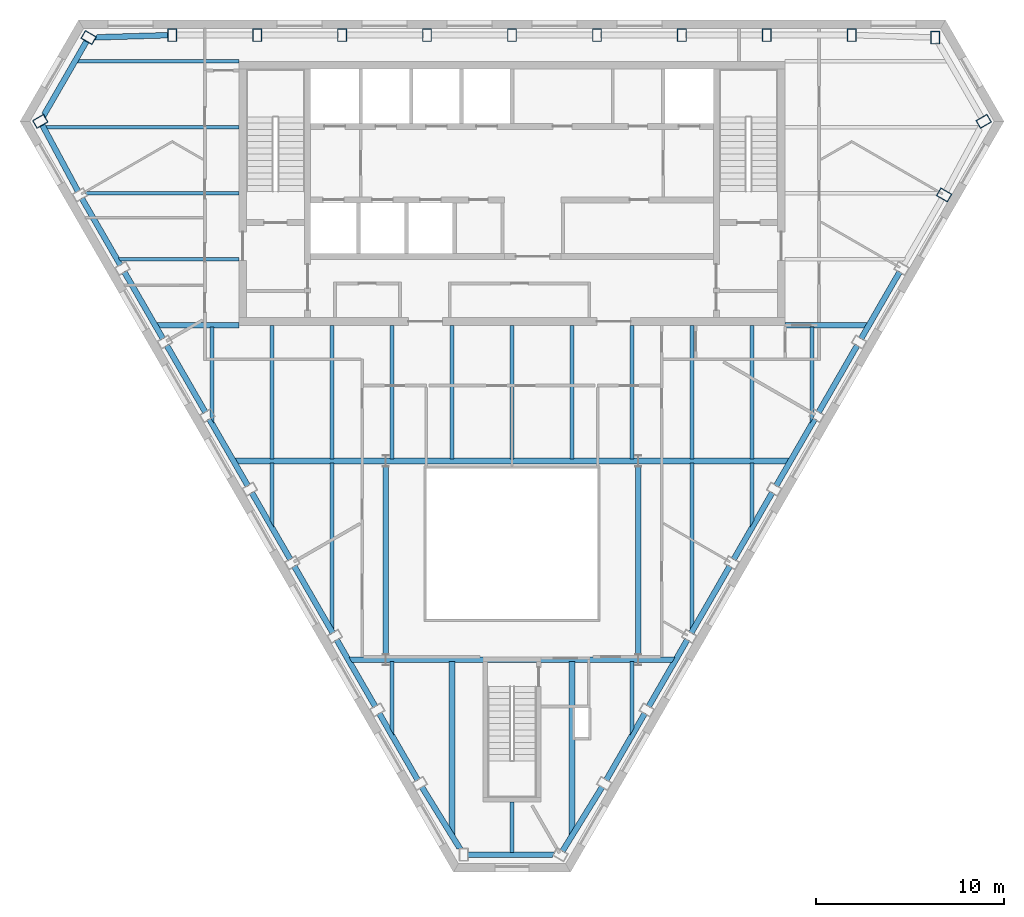
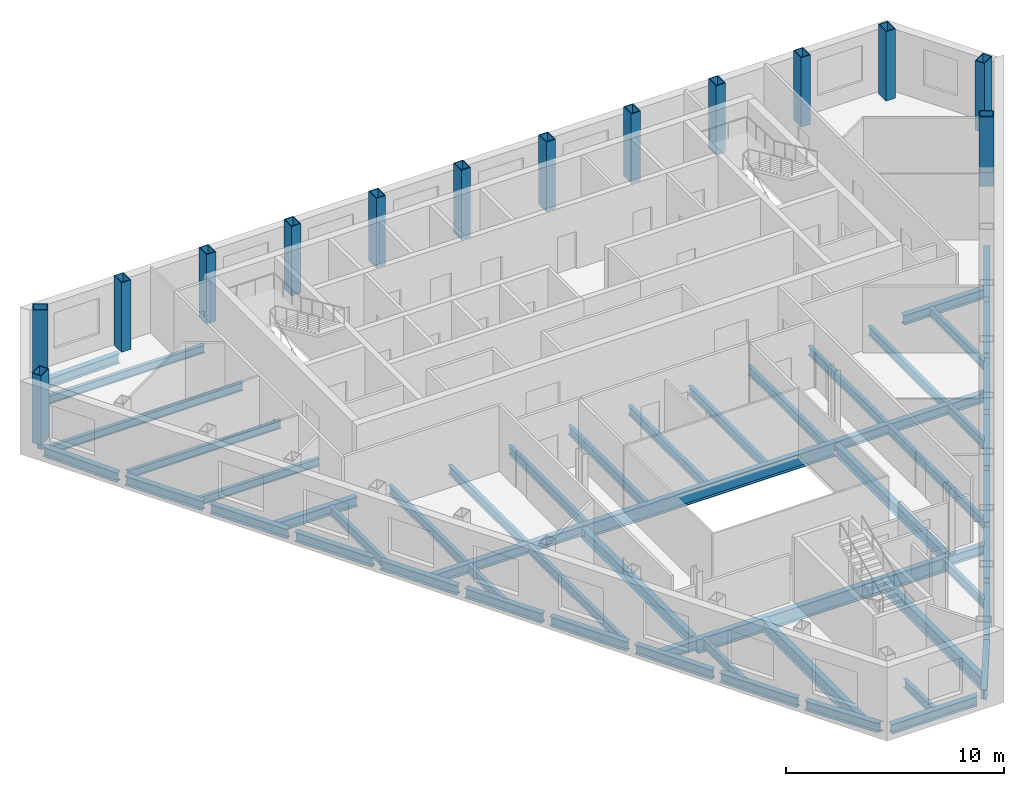
# One storey, part 2 of 10: 55 beams, 14 columns.
"""IFC4 building model written with IfcOpenShell, lengths in metres."""

from ifc_helpers import new_model, si_unit, direction, frame, origin, origin_2d, place, context, subcontext, project, spatial, hollow_rectangle, i_section, extrude, clip, halfspace, material, material_profile, profile_set, type_object, element, save


model = new_model("IFC4")

# Units and contexts
model_context = context("Model", 3, precision=1e-05, world=origin(), true_north=direction((0.0, 1.0)))
body_context = subcontext(model_context, "Body", "Model", "MODEL_VIEW")
ifc_project = project(units=[si_unit("LENGTHUNIT", "METRE"), si_unit("AREAUNIT", "SQUARE_METRE"), si_unit("VOLUMEUNIT", "CUBIC_METRE"), si_unit("PLANEANGLEUNIT", "RADIAN"), si_unit("MASSUNIT", "GRAM", prefix="KILO")], contexts=[model_context])

# Site, building, storey
site_placement = place(None, origin())
site = spatial("IfcSite", under=ifc_project, at=site_placement, CompositionType="ELEMENT")
building_placement = place(site_placement, origin())
building = spatial("IfcBuilding", under=site, at=building_placement, Name="Njiva Tower", CompositionType="ELEMENT")
storey_placement = place(building_placement, frame((0.0, 0.0, 253.2)))
storey = spatial("IfcBuildingStorey", under=building, at=storey_placement, Name="L57", CompositionType="ELEMENT", Elevation=253.2)

# Columns
ifc_material = material(Name="Steel S355 J2", Category="steel")
ifc_material_profile_1 = material_profile(ifc_material, hollow_rectangle(XDim=0.5, YDim=0.7, WallThickness=0.045, at=origin_2d()), Name="BOX 700x500x45")
ifc_profile_set_1 = profile_set([ifc_material_profile_1], Name="Steel S355 J2")
column_type = type_object("IfcColumnType", Name="C13 Perimeter tube column BOX 700x500x45", PredefinedType="COLUMN", material=ifc_profile_set_1)
for number, where, z_axis, x_axis, name in (
    (1, (22.466, 19.267, 0.0), (0.0, 0.0, 1.0), (-1.0, 0.0, 0.0), "Perimeter tube column S18-C01"),
    (2, (18.034, 19.4, 0.0), (0.0, 0.0, 1.0), (-1.0, 0.0, 0.0), "Perimeter tube column S18-C02"),
    (3, (13.526, 19.4, 0.0), (0.0, 0.0, 1.0), (-1.0, 0.0, 0.0), "Perimeter tube column S18-C03"),
    (4, (9.017, 19.4, 0.0), (0.0, 0.0, 1.0), (-1.0, 0.0, 0.0), "Perimeter tube column S18-C04"),
    (5, (4.509, 19.4, 0.0), (0.0, 0.0, 1.0), (-1.0, 0.0, 0.0), "Perimeter tube column S18-C05"),
    (6, (0.0, 19.4, 0.0), (0.0, 0.0, 1.0), (-1.0, 0.0, 0.0), "Perimeter tube column S18-C06"),
    (7, (-4.509, 19.4, 0.0), (0.0, 0.0, 1.0), (-1.0, 0.0, 0.0), "Perimeter tube column S18-C07"),
    (8, (-9.017, 19.4, 0.0), (0.0, 0.0, 1.0), (-1.0, 0.0, 0.0), "Perimeter tube column S18-C08"),
    (9, (-13.526, 19.4, 0.0), (0.0, 0.0, 1.0), (-1.0, 0.0, 0.0), "Perimeter tube column S18-C09"),
    (10, (-18.034, 19.4, 0.0), (0.0, 0.0, 1.0), (-1.0, 0.0, 0.0), "Perimeter tube column S18-C10"),
    (11, (-22.466, 19.267, 0.0), (0.0, 0.0, 1.0), (-0.5, -0.866025403784, 0.0), "Perimeter tube column S18-C11"),
    (12, (-25.033, 14.822, 0.0), (0.0, 0.0, 1.0), (0.5, -0.866025403784, 0.0), "Perimeter tube column S18-C12"),
    (13, (22.932, 10.917, 0.0), (0.0, 0.0, 1.0), (0.5, 0.866025403784, 0.0), "Perimeter tube column S18-C32"),
    (14, (25.033, 14.822, 0.0), (0.0, 0.0, 1.0), (-0.5, 0.866025403784, 0.0), "Perimeter tube column S18-C33"),
):
    element("IfcColumn", number, at=place(storey_placement, frame(where, z_axis=z_axis, x_axis=x_axis)), inside=storey, type_object=column_type, Name=name, PredefinedType="COLUMN", context=body_context, shape_type="SweptSolid", body=[
        extrude(hollow_rectangle(XDim=0.5, YDim=0.7, WallThickness=0.045, at=origin_2d()), origin(), (0.0, 0.0, 1.0), 3.9),
    ])

# Beams
ifc_material_profile_2 = material_profile(ifc_material, i_section(OverallWidth=0.3, OverallDepth=0.69, WebThickness=0.0145, FlangeThickness=0.027, at=origin_2d()), Name="HEA 700")
ifc_profile_set_2 = profile_set([ifc_material_profile_2], Name="Steel S355 J2")
beam_type_1 = type_object("IfcBeamType", Name="B26 Floor joist HEA 700", PredefinedType="JOIST", material=ifc_profile_set_2)
beam_1_placement = place(storey_placement, frame((-3.183, -13.85, -0.545), z_axis=(0.0, -1.0, 0.0), x_axis=(1.0, 0.0, 0.0)))
element("IfcBeam", 15, at=beam_1_placement, inside=storey, type_object=beam_type_1, Name="Floor joist S18-B061", PredefinedType="JOIST", context=body_context, shape_type="Clipping", body=[
    clip(extrude(i_section(OverallWidth=0.3, OverallDepth=0.69, WebThickness=0.0145, FlangeThickness=0.027, at=origin_2d()), origin(), (0.0, 0.0, 1.0), 9.234), halfspace(frame((-0.0429, 0.0, 8.9834), z_axis=(-0.850624900762, 0.0, 0.525773029171), x_axis=(0.0, 1.0, 0.0)), False)),
])
beam_2_placement = place(storey_placement, frame((3.183, -13.85, -0.545), z_axis=(0.0, -1.0, 0.0), x_axis=(1.0, 0.0, 0.0)))
element("IfcBeam", 16, at=beam_2_placement, inside=storey, type_object=beam_type_1, Name="Floor joist S18-B066", PredefinedType="JOIST", context=body_context, shape_type="Clipping", body=[
    clip(extrude(i_section(OverallWidth=0.3, OverallDepth=0.69, WebThickness=0.0145, FlangeThickness=0.027, at=origin_2d()), origin(), (0.0, 0.0, 1.0), 9.234), halfspace(frame((0.0429, 0.0, 8.9834), z_axis=(0.850624900762, 0.0, 0.525773029171), x_axis=(0.0, 1.0, 0.0)), False)),
])
ifc_material_profile_3 = material_profile(ifc_material, i_section(OverallWidth=0.3, OverallDepth=0.59, WebThickness=0.013, FlangeThickness=0.025, at=origin_2d()), Name="HEA 600")
ifc_profile_set_3 = profile_set([ifc_material_profile_3], Name="Steel S355 J2")
beam_type_2 = type_object("IfcBeamType", Name="B30 Long-span atrium trimmer beam HEA 600", PredefinedType="BEAM", material=ifc_profile_set_3)
for number, where, z_axis, x_axis, name in (
    (17, (6.7, -13.5, -0.495), (0.0, 1.0, 0.0), (-1.0, 0.0, 0.0), "Long-span atrium trimmer beam S18-B083"),
    (18, (-6.7, -3.45, -0.495), (0.0, -1.0, 0.0), (1.0, 0.0, 0.0), "Long-span atrium trimmer beam S18-B080"),
):
    element("IfcBeam", number, at=place(storey_placement, frame(where, z_axis=z_axis, x_axis=x_axis)), inside=storey, type_object=beam_type_2, Name=name, PredefinedType="BEAM", context=body_context, shape_type="SweptSolid", body=[
        extrude(i_section(OverallWidth=0.3, OverallDepth=0.59, WebThickness=0.013, FlangeThickness=0.025, at=origin_2d()), origin(), (0.0, 0.0, 1.0), 10.05),
    ])
ifc_material_profile_4 = material_profile(ifc_material, i_section(OverallWidth=0.19, OverallDepth=0.45, WebThickness=0.0094, FlangeThickness=0.0146, at=origin_2d()), Name="IPE 450")
ifc_profile_set_4 = profile_set([ifc_material_profile_4], Name="Steel S355 J2")
beam_type_3 = type_object("IfcBeamType", Name="B37 Floor beam to the core IPE 450", PredefinedType="BEAM", material=ifc_profile_set_4)
beam_3_placement = place(storey_placement, frame((-20.918, 7.5, -0.425), z_axis=(1.0, 0.0, 0.0), x_axis=(0.0, 1.0, 0.0)))
element("IfcBeam", 19, at=beam_3_placement, inside=storey, type_object=beam_type_3, Name="Floor beam to the core S18-B014", PredefinedType="BEAM", context=body_context, shape_type="Clipping", body=[
    clip(extrude(i_section(OverallWidth=0.19, OverallDepth=0.45, WebThickness=0.0094, FlangeThickness=0.0146, at=origin_2d()), origin(), (0.0, 0.0, 1.0), 6.418), halfspace(frame((-0.025, 0.0, 0.089), z_axis=(-0.499998009787, 0.0, -0.866026552831), x_axis=(0.0, -1.0, 0.0)), False)),
])
beam_4_placement = place(storey_placement, frame((-22.709, 11.0, -0.425), z_axis=(1.0, 0.0, 0.0), x_axis=(0.0, 1.0, 0.0)))
element("IfcBeam", 20, at=beam_4_placement, inside=storey, type_object=beam_type_3, Name="Floor beam to the core S18-B013", PredefinedType="BEAM", context=body_context, shape_type="Clipping", body=[
    clip(extrude(i_section(OverallWidth=0.19, OverallDepth=0.45, WebThickness=0.0094, FlangeThickness=0.0146, at=origin_2d()), origin(), (0.0, 0.0, 1.0), 8.209), halfspace(frame((-0.025, 0.0, 0.0899), z_axis=(-0.499998009787, 0.0, -0.866026552831), x_axis=(0.0, -1.0, 0.0)), False)),
])
beam_5_placement = place(storey_placement, frame((-23.157, 18.0, -0.425), z_axis=(1.0, 0.0, 0.0), x_axis=(0.0, 1.0, 0.0)))
element("IfcBeam", 21, at=beam_5_placement, inside=storey, type_object=beam_type_3, Name="Floor beam to the core S18-B011", PredefinedType="BEAM", context=body_context, shape_type="Clipping", body=[
    clip(extrude(i_section(OverallWidth=0.19, OverallDepth=0.45, WebThickness=0.0094, FlangeThickness=0.0146, at=origin_2d()), origin(), (0.0, 0.0, 1.0), 8.657), halfspace(frame((0.025, 0.0, 0.0892), z_axis=(0.499998009787, 0.0, -0.866026552831), x_axis=(0.0, -1.0, 0.0)), False)),
])
ifc_material_profile_5 = material_profile(ifc_material, i_section(OverallWidth=0.3, OverallDepth=0.54, WebThickness=0.0125, FlangeThickness=0.024, at=origin_2d()), Name="HEA 550")
ifc_profile_set_5 = profile_set([ifc_material_profile_5], Name="Steel S355 J2")
beam_type_4 = type_object("IfcBeamType", Name="B39 Short-span spandrel beam HEA 550", PredefinedType="SPANDREL", material=ifc_profile_set_5)
beam_6_placement = place(storey_placement, frame((-18.238, 19.394, -0.47), z_axis=(-0.999544721099, -0.030172015575, 0.0), x_axis=(0.030172015575, -0.999544721099, 0.0)))
element("IfcBeam", 22, at=beam_6_placement, inside=storey, type_object=beam_type_4, Name="Short-span spandrel beam S18-B090", PredefinedType="SPANDREL", context=body_context, shape_type="Clipping", body=[
    clip(extrude(i_section(OverallWidth=0.3, OverallDepth=0.54, WebThickness=0.0125, FlangeThickness=0.024, at=origin_2d()), origin(), (0.0, 0.0, 1.0), 3.9908), halfspace(frame((-0.0268, 0.0, 3.861), z_axis=(-0.525900137883, 0.0, 0.850546321475), x_axis=(0.0, 1.0, 0.0)), False)),
])
beam_7_placement = place(storey_placement, frame((-24.936, 14.643, -0.47), z_axis=(0.473833234229, -0.880614595689, 0.0), x_axis=(0.880614595689, 0.473833234229, 0.0)))
element("IfcBeam", 23, at=beam_7_placement, inside=storey, type_object=beam_type_4, Name="Short-span spandrel beam S18-B085", PredefinedType="SPANDREL", context=body_context, shape_type="SweptSolid", body=[
    extrude(i_section(OverallWidth=0.3, OverallDepth=0.54, WebThickness=0.0125, FlangeThickness=0.024, at=origin_2d()), origin(), (0.0, 0.0, 1.0), 4.0267),
])
beam_8_placement = place(storey_placement, frame((-22.832, 10.744, -0.47), z_axis=(0.499961250474, -0.866047774678, 0.0), x_axis=(0.866047774678, 0.499961250474, 0.0)))
element("IfcBeam", 24, at=beam_8_placement, inside=storey, type_object=beam_type_4, Name="Short-span spandrel beam S18-B088", PredefinedType="SPANDREL", context=body_context, shape_type="SweptSolid", body=[
    extrude(i_section(OverallWidth=0.3, OverallDepth=0.54, WebThickness=0.0125, FlangeThickness=0.024, at=origin_2d()), origin(), (0.0, 0.0, 1.0), 4.1083),
])
beam_9_placement = place(storey_placement, frame((-20.578, 6.84, -0.47), z_axis=(0.500038395149, -0.8660032352, 0.0), x_axis=(0.8660032352, 0.500038395149, 0.0)))
element("IfcBeam", 25, at=beam_9_placement, inside=storey, type_object=beam_type_4, Name="Short-span spandrel beam S18-B092", PredefinedType="SPANDREL", context=body_context, shape_type="SweptSolid", body=[
    extrude(i_section(OverallWidth=0.3, OverallDepth=0.54, WebThickness=0.0125, FlangeThickness=0.024, at=origin_2d()), origin(), (0.0, 0.0, 1.0), 4.1097),
])
beam_10_placement = place(storey_placement, frame((-18.323, 2.935, -0.47), z_axis=(0.499961250474, -0.866047774678, 0.0), x_axis=(0.866047774678, 0.499961250474, 0.0)))
element("IfcBeam", 26, at=beam_10_placement, inside=storey, type_object=beam_type_4, Name="Short-span spandrel beam S18-B094", PredefinedType="SPANDREL", context=body_context, shape_type="SweptSolid", body=[
    extrude(i_section(OverallWidth=0.3, OverallDepth=0.54, WebThickness=0.0125, FlangeThickness=0.024, at=origin_2d()), origin(), (0.0, 0.0, 1.0), 4.1083),
])
beam_11_placement = place(storey_placement, frame((-16.069, -0.969, -0.47), z_axis=(0.499855875421, -0.866108598161, 0.0), x_axis=(0.866108598161, 0.499855875421, 0.0)))
element("IfcBeam", 27, at=beam_11_placement, inside=storey, type_object=beam_type_4, Name="Short-span spandrel beam S18-B098", PredefinedType="SPANDREL", context=body_context, shape_type="SweptSolid", body=[
    extrude(i_section(OverallWidth=0.3, OverallDepth=0.54, WebThickness=0.0125, FlangeThickness=0.024, at=origin_2d()), origin(), (0.0, 0.0, 1.0), 4.1092),
])
beam_12_placement = place(storey_placement, frame((-13.815, -4.874, -0.47), z_axis=(0.500038395149, -0.8660032352, 0.0), x_axis=(0.8660032352, 0.500038395149, 0.0)))
element("IfcBeam", 28, at=beam_12_placement, inside=storey, type_object=beam_type_4, Name="Short-span spandrel beam S18-B100", PredefinedType="SPANDREL", context=body_context, shape_type="SweptSolid", body=[
    extrude(i_section(OverallWidth=0.3, OverallDepth=0.54, WebThickness=0.0125, FlangeThickness=0.024, at=origin_2d()), origin(), (0.0, 0.0, 1.0), 4.1097),
])
beam_13_placement = place(storey_placement, frame((-11.56, -8.779, -0.47), z_axis=(0.499961250474, -0.866047774678, 0.0), x_axis=(0.866047774678, 0.499961250474, 0.0)))
element("IfcBeam", 29, at=beam_13_placement, inside=storey, type_object=beam_type_4, Name="Short-span spandrel beam S18-B104", PredefinedType="SPANDREL", context=body_context, shape_type="SweptSolid", body=[
    extrude(i_section(OverallWidth=0.3, OverallDepth=0.54, WebThickness=0.0125, FlangeThickness=0.024, at=origin_2d()), origin(), (0.0, 0.0, 1.0), 4.1083),
])
beam_14_placement = place(storey_placement, frame((-9.306, -12.683, -0.47), z_axis=(0.499855875421, -0.866108598161, 0.0), x_axis=(0.866108598161, 0.499855875421, 0.0)))
element("IfcBeam", 30, at=beam_14_placement, inside=storey, type_object=beam_type_4, Name="Short-span spandrel beam S18-B106", PredefinedType="SPANDREL", context=body_context, shape_type="SweptSolid", body=[
    extrude(i_section(OverallWidth=0.3, OverallDepth=0.54, WebThickness=0.0125, FlangeThickness=0.024, at=origin_2d()), origin(), (0.0, 0.0, 1.0), 4.1092),
])
beam_15_placement = place(storey_placement, frame((-7.052, -16.588, -0.47), z_axis=(0.500143783026, -0.865942374699, 0.0), x_axis=(0.865942374699, 0.500143783026, 0.0)))
element("IfcBeam", 31, at=beam_15_placement, inside=storey, type_object=beam_type_4, Name="Short-span spandrel beam S18-B109", PredefinedType="SPANDREL", context=body_context, shape_type="SweptSolid", body=[
    extrude(i_section(OverallWidth=0.3, OverallDepth=0.54, WebThickness=0.0125, FlangeThickness=0.024, at=origin_2d()), origin(), (0.0, 0.0, 1.0), 4.1088),
])
beam_16_placement = place(storey_placement, frame((-4.79, -20.493, -0.47), z_axis=(0.525679579042, -0.850682655388, 0.0), x_axis=(0.850682655388, 0.525679579042, 0.0)))
element("IfcBeam", 32, at=beam_16_placement, inside=storey, type_object=beam_type_4, Name="Short-span spandrel beam S18-B111", PredefinedType="SPANDREL", context=body_context, shape_type="Clipping", body=[
    clip(extrude(i_section(OverallWidth=0.3, OverallDepth=0.54, WebThickness=0.0125, FlangeThickness=0.024, at=origin_2d()), origin(), (0.0, 0.0, 1.0), 3.9899), halfspace(frame((-0.0259, 0.0, 3.8609), z_axis=(-0.525679579042, 0.0, 0.850682655388), x_axis=(0.0, 1.0, 0.0)), False)),
])
beam_17_placement = place(storey_placement, frame((2.673, -23.918, -0.47), z_axis=(0.525773090437, 0.850624862894, 0.0), x_axis=(-0.850624862894, 0.525773090437, 0.0)))
element("IfcBeam", 33, at=beam_17_placement, inside=storey, type_object=beam_type_4, Name="Short-span spandrel beam S18-B118", PredefinedType="SPANDREL", context=body_context, shape_type="SweptSolid", body=[
    extrude(i_section(OverallWidth=0.3, OverallDepth=0.54, WebThickness=0.0125, FlangeThickness=0.024, at=origin_2d()), origin(), (0.0, 0.0, 1.0), 4.0265),
])
beam_18_placement = place(storey_placement, frame((4.997, -20.146, -0.47), z_axis=(0.500143783026, 0.865942374699, 0.0), x_axis=(-0.865942374699, 0.500143783026, 0.0)))
element("IfcBeam", 34, at=beam_18_placement, inside=storey, type_object=beam_type_4, Name="Short-span spandrel beam S18-B121", PredefinedType="SPANDREL", context=body_context, shape_type="SweptSolid", body=[
    extrude(i_section(OverallWidth=0.3, OverallDepth=0.54, WebThickness=0.0125, FlangeThickness=0.024, at=origin_2d()), origin(), (0.0, 0.0, 1.0), 4.1088),
])
beam_19_placement = place(storey_placement, frame((7.252, -16.242, -0.47), z_axis=(0.499855875421, 0.866108598161, 0.0), x_axis=(-0.866108598161, 0.499855875421, 0.0)))
element("IfcBeam", 35, at=beam_19_placement, inside=storey, type_object=beam_type_4, Name="Short-span spandrel beam S18-B123", PredefinedType="SPANDREL", context=body_context, shape_type="SweptSolid", body=[
    extrude(i_section(OverallWidth=0.3, OverallDepth=0.54, WebThickness=0.0125, FlangeThickness=0.024, at=origin_2d()), origin(), (0.0, 0.0, 1.0), 4.1092),
])
beam_20_placement = place(storey_placement, frame((9.506, -12.337, -0.47), z_axis=(0.499961250474, 0.866047774678, 0.0), x_axis=(-0.866047774678, 0.499961250474, 0.0)))
element("IfcBeam", 36, at=beam_20_placement, inside=storey, type_object=beam_type_4, Name="Short-span spandrel beam S18-B127", PredefinedType="SPANDREL", context=body_context, shape_type="SweptSolid", body=[
    extrude(i_section(OverallWidth=0.3, OverallDepth=0.54, WebThickness=0.0125, FlangeThickness=0.024, at=origin_2d()), origin(), (0.0, 0.0, 1.0), 4.1083),
])
beam_21_placement = place(storey_placement, frame((11.76, -8.433, -0.47), z_axis=(0.500038395149, 0.8660032352, 0.0), x_axis=(-0.8660032352, 0.500038395149, 0.0)))
element("IfcBeam", 37, at=beam_21_placement, inside=storey, type_object=beam_type_4, Name="Short-span spandrel beam S18-B129", PredefinedType="SPANDREL", context=body_context, shape_type="SweptSolid", body=[
    extrude(i_section(OverallWidth=0.3, OverallDepth=0.54, WebThickness=0.0125, FlangeThickness=0.024, at=origin_2d()), origin(), (0.0, 0.0, 1.0), 4.1097),
])
beam_22_placement = place(storey_placement, frame((14.015, -4.528, -0.47), z_axis=(0.499855875421, 0.866108598161, 0.0), x_axis=(-0.866108598161, 0.499855875421, 0.0)))
element("IfcBeam", 38, at=beam_22_placement, inside=storey, type_object=beam_type_4, Name="Short-span spandrel beam S18-B133", PredefinedType="SPANDREL", context=body_context, shape_type="SweptSolid", body=[
    extrude(i_section(OverallWidth=0.3, OverallDepth=0.54, WebThickness=0.0125, FlangeThickness=0.024, at=origin_2d()), origin(), (0.0, 0.0, 1.0), 4.1092),
])
beam_23_placement = place(storey_placement, frame((16.269, -0.623, -0.47), z_axis=(0.499961250474, 0.866047774678, 0.0), x_axis=(-0.866047774678, 0.499961250474, 0.0)))
element("IfcBeam", 39, at=beam_23_placement, inside=storey, type_object=beam_type_4, Name="Short-span spandrel beam S18-B135", PredefinedType="SPANDREL", context=body_context, shape_type="SweptSolid", body=[
    extrude(i_section(OverallWidth=0.3, OverallDepth=0.54, WebThickness=0.0125, FlangeThickness=0.024, at=origin_2d()), origin(), (0.0, 0.0, 1.0), 4.1083),
])
beam_24_placement = place(storey_placement, frame((18.523, 3.281, -0.47), z_axis=(0.500038395149, 0.8660032352, 0.0), x_axis=(-0.8660032352, 0.500038395149, 0.0)))
element("IfcBeam", 40, at=beam_24_placement, inside=storey, type_object=beam_type_4, Name="Short-span spandrel beam S18-B139", PredefinedType="SPANDREL", context=body_context, shape_type="SweptSolid", body=[
    extrude(i_section(OverallWidth=0.3, OverallDepth=0.54, WebThickness=0.0125, FlangeThickness=0.024, at=origin_2d()), origin(), (0.0, 0.0, 1.0), 4.1097),
])
ifc_material_profile_6 = material_profile(ifc_material, i_section(OverallWidth=0.3, OverallDepth=0.54, WebThickness=0.0125, FlangeThickness=0.024, at=origin_2d()), Name="HEA 550")
ifc_profile_set_6 = profile_set([ifc_material_profile_6], Name="Steel S355 J2")
beam_type_5 = type_object("IfcBeamType", Name="B40 Floor girder HEA 550", PredefinedType="BEAM", material=ifc_profile_set_6)
beam_25_placement = place(storey_placement, frame((-14.773, -3.2, -0.47), z_axis=(1.0, 0.0, 0.0), x_axis=(0.0, 1.0, 0.0)))
element("IfcBeam", 41, at=beam_25_placement, inside=storey, type_object=beam_type_5, Name="Floor girder S18-B021", PredefinedType="BEAM", context=body_context, shape_type="Clipping", body=[
    clip(extrude(i_section(OverallWidth=0.3, OverallDepth=0.54, WebThickness=0.0125, FlangeThickness=0.024, at=origin_2d()), origin(), (0.0, 0.0, 1.0), 8.073), halfspace(frame((-0.025, 0.0, 0.1217), z_axis=(-0.499998009787, 0.0, -0.866026552831), x_axis=(0.0, -1.0, 0.0)), False)),
])
beam_26_placement = place(storey_placement, frame((6.7, -3.2, -0.47), z_axis=(1.0, 0.0, 0.0), x_axis=(0.0, 1.0, 0.0)))
element("IfcBeam", 42, at=beam_26_placement, inside=storey, type_object=beam_type_5, Name="Floor girder S18-B024", PredefinedType="BEAM", context=body_context, shape_type="Clipping", body=[
    clip(extrude(i_section(OverallWidth=0.3, OverallDepth=0.54, WebThickness=0.0125, FlangeThickness=0.024, at=origin_2d()), origin(), (0.0, 0.0, 1.0), 8.073), halfspace(frame((-0.025, 0.0, 7.9513), z_axis=(-0.499998009787, 0.0, 0.866026552831), x_axis=(0.0, 1.0, 0.0)), False)),
])
ifc_material_profile_7 = material_profile(ifc_material, i_section(OverallWidth=0.3, OverallDepth=0.54, WebThickness=0.0125, FlangeThickness=0.024, at=origin_2d()), Name="HEA 550")
ifc_profile_set_7 = profile_set([ifc_material_profile_7], Name="Steel S355 J2")
beam_type_6 = type_object("IfcBeamType", Name="B41 Short-span floor girder HEA 550", PredefinedType="BEAM", material=ifc_profile_set_7)
beam_27_placement = place(storey_placement, frame((-8.682, -13.75, -0.47), z_axis=(1.0, 0.0, 0.0), x_axis=(0.0, 1.0, 0.0)))
element("IfcBeam", 43, at=beam_27_placement, inside=storey, type_object=beam_type_6, Name="Short-span floor girder S18-B022", PredefinedType="BEAM", context=body_context, shape_type="Clipping", body=[
    clip(extrude(i_section(OverallWidth=0.3, OverallDepth=0.54, WebThickness=0.0125, FlangeThickness=0.024, at=origin_2d()), origin(), (0.0, 0.0, 1.0), 1.982), halfspace(frame((-0.025, 0.0, 0.1217), z_axis=(-0.499998009787, 0.0, -0.866026552831), x_axis=(0.0, -1.0, 0.0)), False)),
])
beam_28_placement = place(storey_placement, frame((6.7, -13.75, -0.47), z_axis=(1.0, 0.0, 0.0), x_axis=(0.0, 1.0, 0.0)))
element("IfcBeam", 44, at=beam_28_placement, inside=storey, type_object=beam_type_6, Name="Short-span floor girder S18-B023", PredefinedType="BEAM", context=body_context, shape_type="Clipping", body=[
    clip(extrude(i_section(OverallWidth=0.3, OverallDepth=0.54, WebThickness=0.0125, FlangeThickness=0.024, at=origin_2d()), origin(), (0.0, 0.0, 1.0), 1.982), halfspace(frame((-0.025, 0.0, 1.8603), z_axis=(-0.499998009787, 0.0, 0.866026552831), x_axis=(0.0, 1.0, 0.0)), False)),
])
beam_29_placement = place(storey_placement, frame((-18.93, 4.0, -0.47), z_axis=(1.0, 0.0, 0.0), x_axis=(0.0, 1.0, 0.0)))
element("IfcBeam", 45, at=beam_29_placement, inside=storey, type_object=beam_type_6, Name="Short-span floor girder S18-B020", PredefinedType="BEAM", context=body_context, shape_type="Clipping", body=[
    clip(extrude(i_section(OverallWidth=0.3, OverallDepth=0.54, WebThickness=0.0125, FlangeThickness=0.024, at=origin_2d()), origin(), (0.0, 0.0, 1.0), 4.43), halfspace(frame((-0.025, 0.0, 0.1217), z_axis=(-0.499998009787, 0.0, -0.866026552831), x_axis=(0.0, -1.0, 0.0)), False)),
])
beam_30_placement = place(storey_placement, frame((14.5, 4.0, -0.47), z_axis=(1.0, 0.0, 0.0), x_axis=(0.0, 1.0, 0.0)))
element("IfcBeam", 46, at=beam_30_placement, inside=storey, type_object=beam_type_6, Name="Short-span floor girder S18-B025", PredefinedType="BEAM", context=body_context, shape_type="Clipping", body=[
    clip(extrude(i_section(OverallWidth=0.3, OverallDepth=0.54, WebThickness=0.0125, FlangeThickness=0.024, at=origin_2d()), origin(), (0.0, 0.0, 1.0), 4.43), halfspace(frame((-0.025, 0.0, 4.3083), z_axis=(-0.499998009787, 0.0, 0.866026552831), x_axis=(0.0, 1.0, 0.0)), False)),
])
ifc_material_profile_8 = material_profile(ifc_material, i_section(OverallWidth=0.2, OverallDepth=0.5, WebThickness=0.0102, FlangeThickness=0.016, at=origin_2d()), Name="IPE 500")
ifc_profile_set_8 = profile_set([ifc_material_profile_8], Name="Steel S355 J2")
beam_type_7 = type_object("IfcBeamType", Name="B42 Short-span floor joist IPE 500", PredefinedType="JOIST", material=ifc_profile_set_8)
beam_31_placement = place(storey_placement, frame((-12.733, -3.3, -0.45), z_axis=(0.0, -1.0, 0.0), x_axis=(1.0, 0.0, 0.0)))
element("IfcBeam", 47, at=beam_31_placement, inside=storey, type_object=beam_type_7, Name="Short-span floor joist S18-B053", PredefinedType="JOIST", context=body_context, shape_type="Clipping", body=[
    clip(extrude(i_section(OverallWidth=0.2, OverallDepth=0.5, WebThickness=0.0102, FlangeThickness=0.016, at=origin_2d()), origin(), (0.0, 0.0, 1.0), 3.44), halfspace(frame((-0.0436, 0.0, 3.1721), z_axis=(-0.866026552831, 0.0, 0.499998009787), x_axis=(0.0, 1.0, 0.0)), False)),
])
beam_32_placement = place(storey_placement, frame((-6.367, -13.85, -0.45), z_axis=(0.0, -1.0, 0.0), x_axis=(1.0, 0.0, 0.0)))
element("IfcBeam", 48, at=beam_32_placement, inside=storey, type_object=beam_type_7, Name="Short-span floor joist S18-B058", PredefinedType="JOIST", context=body_context, shape_type="Clipping", body=[
    clip(extrude(i_section(OverallWidth=0.2, OverallDepth=0.5, WebThickness=0.0102, FlangeThickness=0.016, at=origin_2d()), origin(), (0.0, 0.0, 1.0), 3.917), halfspace(frame((-0.043, 0.0, 3.6495), z_axis=(-0.866026552831, 0.0, 0.499998009787), x_axis=(0.0, 1.0, 0.0)), False)),
])
beam_33_placement = place(storey_placement, frame((0.0, -21.3, -0.45), z_axis=(0.0, -1.0, 0.0), x_axis=(1.0, 0.0, 0.0)))
element("IfcBeam", 49, at=beam_33_placement, inside=storey, type_object=beam_type_7, Name="Short-span floor joist S18-B064", PredefinedType="JOIST", context=body_context, shape_type="SweptSolid", body=[
    extrude(i_section(OverallWidth=0.2, OverallDepth=0.5, WebThickness=0.0102, FlangeThickness=0.016, at=origin_2d()), origin(), (0.0, 0.0, 1.0), 2.691),
])
beam_34_placement = place(storey_placement, frame((6.367, -13.85, -0.45), z_axis=(0.0, -1.0, 0.0), x_axis=(1.0, 0.0, 0.0)))
element("IfcBeam", 50, at=beam_34_placement, inside=storey, type_object=beam_type_7, Name="Short-span floor joist S18-B069", PredefinedType="JOIST", context=body_context, shape_type="Clipping", body=[
    clip(extrude(i_section(OverallWidth=0.2, OverallDepth=0.5, WebThickness=0.0102, FlangeThickness=0.016, at=origin_2d()), origin(), (0.0, 0.0, 1.0), 3.917), halfspace(frame((0.043, 0.0, 3.6495), z_axis=(0.866026552831, 0.0, 0.499998009787), x_axis=(0.0, 1.0, 0.0)), False)),
])
beam_35_placement = place(storey_placement, frame((12.733, -3.3, -0.45), z_axis=(0.0, -1.0, 0.0), x_axis=(1.0, 0.0, 0.0)))
element("IfcBeam", 51, at=beam_35_placement, inside=storey, type_object=beam_type_7, Name="Short-span floor joist S18-B075", PredefinedType="JOIST", context=body_context, shape_type="Clipping", body=[
    clip(extrude(i_section(OverallWidth=0.2, OverallDepth=0.5, WebThickness=0.0102, FlangeThickness=0.016, at=origin_2d()), origin(), (0.0, 0.0, 1.0), 3.44), halfspace(frame((0.0436, 0.0, 3.1721), z_axis=(0.866026552831, 0.0, 0.499998009787), x_axis=(0.0, 1.0, 0.0)), False)),
])
ifc_material_profile_9 = material_profile(ifc_material, i_section(OverallWidth=0.2, OverallDepth=0.5, WebThickness=0.0102, FlangeThickness=0.016, at=origin_2d()), Name="IPE 500")
ifc_profile_set_9 = profile_set([ifc_material_profile_9], Name="Steel S355 J2")
beam_type_8 = type_object("IfcBeamType", Name="B43 Floor joist IPE 500", PredefinedType="JOIST", material=ifc_profile_set_9)
beam_36_placement = place(storey_placement, frame((-15.917, 3.9, -0.45), z_axis=(0.0, -1.0, 0.0), x_axis=(1.0, 0.0, 0.0)))
element("IfcBeam", 52, at=beam_36_placement, inside=storey, type_object=beam_type_8, Name="Floor joist S18-B052", PredefinedType="JOIST", context=body_context, shape_type="Clipping", body=[
    clip(extrude(i_section(OverallWidth=0.2, OverallDepth=0.5, WebThickness=0.0102, FlangeThickness=0.016, at=origin_2d()), origin(), (0.0, 0.0, 1.0), 5.126), halfspace(frame((-0.043, 0.0, 4.8584), z_axis=(-0.866026552831, 0.0, 0.499998009787), x_axis=(0.0, 1.0, 0.0)), False)),
])
for number, where, z_axis, x_axis, name in (
    (53, (-12.733, 3.995, -0.45), (0.0, -1.0, 0.0), (1.0, 0.0, 0.0), "Floor joist S18-B054"),
    (54, (-9.55, 3.995, -0.45), (0.0, -1.0, 0.0), (1.0, 0.0, 0.0), "Floor joist S18-B057"),
):
    element("IfcBeam", number, at=place(storey_placement, frame(where, z_axis=z_axis, x_axis=x_axis)), inside=storey, type_object=beam_type_8, Name=name, PredefinedType="JOIST", context=body_context, shape_type="SweptSolid", body=[
        extrude(i_section(OverallWidth=0.2, OverallDepth=0.5, WebThickness=0.0102, FlangeThickness=0.016, at=origin_2d()), origin(), (0.0, 0.0, 1.0), 7.095),
    ])
beam_37_placement = place(storey_placement, frame((-9.55, -3.3, -0.45), z_axis=(0.0, -1.0, 0.0), x_axis=(1.0, 0.0, 0.0)))
element("IfcBeam", 55, at=beam_37_placement, inside=storey, type_object=beam_type_8, Name="Floor joist S18-B055", PredefinedType="JOIST", context=body_context, shape_type="Clipping", body=[
    clip(extrude(i_section(OverallWidth=0.2, OverallDepth=0.5, WebThickness=0.0102, FlangeThickness=0.016, at=origin_2d()), origin(), (0.0, 0.0, 1.0), 8.954), halfspace(frame((-0.0433, 0.0, 8.6858), z_axis=(-0.866026552831, 0.0, 0.499998009787), x_axis=(0.0, 1.0, 0.0)), False)),
])
for number, where, z_axis, x_axis, name in (
    (56, (-6.367, 3.995, -0.45), (0.0, -1.0, 0.0), (1.0, 0.0, 0.0), "Floor joist S18-B060"),
    (57, (-3.183, 3.995, -0.45), (0.0, -1.0, 0.0), (1.0, 0.0, 0.0), "Floor joist S18-B063"),
    (58, (0.0, 3.995, -0.45), (0.0, -1.0, 0.0), (1.0, 0.0, 0.0), "Floor joist S18-B065"),
    (59, (3.183, 3.995, -0.45), (0.0, -1.0, 0.0), (1.0, 0.0, 0.0), "Floor joist S18-B068"),
    (60, (6.367, 3.995, -0.45), (0.0, -1.0, 0.0), (1.0, 0.0, 0.0), "Floor joist S18-B071"),
    (61, (9.55, 3.995, -0.45), (0.0, -1.0, 0.0), (1.0, 0.0, 0.0), "Floor joist S18-B074"),
):
    element("IfcBeam", number, at=place(storey_placement, frame(where, z_axis=z_axis, x_axis=x_axis)), inside=storey, type_object=beam_type_8, Name=name, PredefinedType="JOIST", context=body_context, shape_type="SweptSolid", body=[
        extrude(i_section(OverallWidth=0.2, OverallDepth=0.5, WebThickness=0.0102, FlangeThickness=0.016, at=origin_2d()), origin(), (0.0, 0.0, 1.0), 7.095),
    ])
beam_38_placement = place(storey_placement, frame((9.55, -3.3, -0.45), z_axis=(0.0, -1.0, 0.0), x_axis=(1.0, 0.0, 0.0)))
element("IfcBeam", 62, at=beam_38_placement, inside=storey, type_object=beam_type_8, Name="Floor joist S18-B072", PredefinedType="JOIST", context=body_context, shape_type="Clipping", body=[
    clip(extrude(i_section(OverallWidth=0.2, OverallDepth=0.5, WebThickness=0.0102, FlangeThickness=0.016, at=origin_2d()), origin(), (0.0, 0.0, 1.0), 8.954), halfspace(frame((0.0433, 0.0, 8.6858), z_axis=(0.866026552831, 0.0, 0.499998009787), x_axis=(0.0, 1.0, 0.0)), False)),
])
beam_39_placement = place(storey_placement, frame((12.733, 3.995, -0.45), z_axis=(0.0, -1.0, 0.0), x_axis=(1.0, 0.0, 0.0)))
element("IfcBeam", 63, at=beam_39_placement, inside=storey, type_object=beam_type_8, Name="Floor joist S18-B076", PredefinedType="JOIST", context=body_context, shape_type="SweptSolid", body=[
    extrude(i_section(OverallWidth=0.2, OverallDepth=0.5, WebThickness=0.0102, FlangeThickness=0.016, at=origin_2d()), origin(), (0.0, 0.0, 1.0), 7.095),
])
beam_40_placement = place(storey_placement, frame((15.917, 3.9, -0.45), z_axis=(0.0, -1.0, 0.0), x_axis=(1.0, 0.0, 0.0)))
element("IfcBeam", 64, at=beam_40_placement, inside=storey, type_object=beam_type_8, Name="Floor joist S18-B077", PredefinedType="JOIST", context=body_context, shape_type="Clipping", body=[
    clip(extrude(i_section(OverallWidth=0.2, OverallDepth=0.5, WebThickness=0.0102, FlangeThickness=0.016, at=origin_2d()), origin(), (0.0, 0.0, 1.0), 5.126), halfspace(frame((0.043, 0.0, 4.8584), z_axis=(0.866026552831, 0.0, 0.499998009787), x_axis=(0.0, 1.0, 0.0)), False)),
])
ifc_material_profile_10 = material_profile(ifc_material, i_section(OverallWidth=0.3, OverallDepth=0.54, WebThickness=0.0125, FlangeThickness=0.024, at=origin_2d()), Name="HEA 550")
ifc_profile_set_10 = profile_set([ifc_material_profile_10], Name="Steel S355 J2")
beam_type_9 = type_object("IfcBeamType", Name="B44 Spandrel beam HEA 550", PredefinedType="SPANDREL", material=ifc_profile_set_10)
beam_41_placement = place(storey_placement, frame((-22.566, 19.094, -0.47), z_axis=(-0.50012503653, -0.865953201874, 0.0), x_axis=(0.865953201874, -0.50012503653, 0.0)))
element("IfcBeam", 65, at=beam_41_placement, inside=storey, type_object=beam_type_9, Name="Spandrel beam S18-B087", PredefinedType="SPANDREL", context=body_context, shape_type="Clipping", body=[
    clip(extrude(i_section(OverallWidth=0.3, OverallDepth=0.54, WebThickness=0.0125, FlangeThickness=0.024, at=origin_2d()), origin(), (0.0, 0.0, 1.0), 4.6939), halfspace(frame((-0.0244, 0.0, 4.5726), z_axis=(-0.499876943422, 0.0, 0.866096438877), x_axis=(0.0, 1.0, 0.0)), False)),
])
beam_42_placement = place(storey_placement, frame((-2.366, -24.091, -0.47), z_axis=(1.0, 0.0, 0.0), x_axis=(0.0, 1.0, 0.0)))
element("IfcBeam", 66, at=beam_42_placement, inside=storey, type_object=beam_type_9, Name="Spandrel beam S18-B115", PredefinedType="SPANDREL", context=body_context, shape_type="Clipping", body=[
    clip(extrude(i_section(OverallWidth=0.3, OverallDepth=0.54, WebThickness=0.0125, FlangeThickness=0.024, at=origin_2d()), origin(), (0.0, 0.0, 1.0), 4.693), halfspace(frame((-0.0247, 0.0, 4.5713), z_axis=(-0.499998009787, 0.0, 0.866026552831), x_axis=(0.0, 1.0, 0.0)), False)),
])
ifc_material_profile_11 = material_profile(ifc_material, i_section(OverallWidth=0.19, OverallDepth=0.45, WebThickness=0.0094, FlangeThickness=0.0146, at=origin_2d()), Name="IPE 450")
ifc_profile_set_11 = profile_set([ifc_material_profile_11], Name="Steel S355 J2")
beam_type_10 = type_object("IfcBeamType", Name="B45 Long-span floor beam to the core IPE 450", PredefinedType="BEAM", material=ifc_profile_set_11)
beam_43_placement = place(storey_placement, frame((-24.817, 14.5, -0.425), z_axis=(1.0, 0.0, 0.0), x_axis=(0.0, 1.0, 0.0)))
element("IfcBeam", 67, at=beam_43_placement, inside=storey, type_object=beam_type_10, Name="Long-span floor beam to the core S18-B010", PredefinedType="BEAM", context=body_context, shape_type="Clipping", body=[
    clip(extrude(i_section(OverallWidth=0.19, OverallDepth=0.45, WebThickness=0.0094, FlangeThickness=0.0146, at=origin_2d()), origin(), (0.0, 0.0, 1.0), 10.317), halfspace(frame((-0.0237, 0.0, 0.084), z_axis=(-0.473777178452, 0.0, -0.88064475538), x_axis=(0.0, -1.0, 0.0)), False)),
])
ifc_material_profile_12 = material_profile(ifc_material, i_section(OverallWidth=0.3, OverallDepth=0.79, WebThickness=0.015, FlangeThickness=0.028, at=origin_2d()), Name="HEA 800")
ifc_profile_set_12 = profile_set([ifc_material_profile_12], Name="Steel S355 J2")
beam_type_11 = type_object("IfcBeamType", Name="B9 Long-span atrium trimmer beam HEA 800", PredefinedType="BEAM", material=ifc_profile_set_12)
for number, where, z_axis, x_axis, name in (
    (68, (-6.7, -13.75, -0.595), (1.0, 0.0, 0.0), (0.0, 1.0, 0.0), "Long-span atrium trimmer beam S18-B079"),
    (69, (6.7, -3.2, -0.595), (-1.0, 0.0, 0.0), (0.0, -1.0, 0.0), "Long-span atrium trimmer beam S18-B081"),
):
    element("IfcBeam", number, at=place(storey_placement, frame(where, z_axis=z_axis, x_axis=x_axis)), inside=storey, type_object=beam_type_11, Name=name, PredefinedType="BEAM", context=body_context, shape_type="SweptSolid", body=[
        extrude(i_section(OverallWidth=0.3, OverallDepth=0.79, WebThickness=0.015, FlangeThickness=0.028, at=origin_2d()), origin(), (0.0, 0.0, 1.0), 13.4),
    ])

save(model, "model.ifc")
